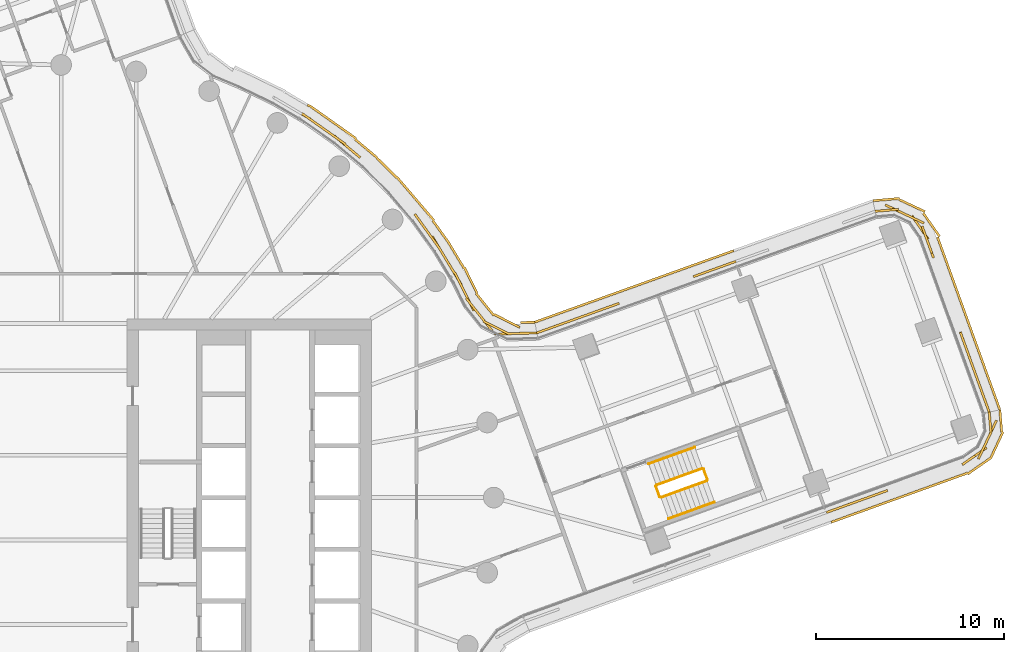
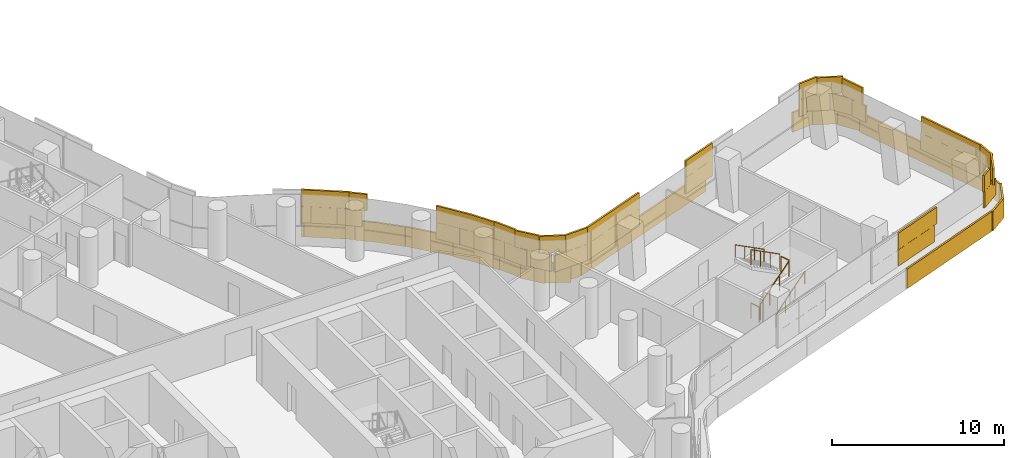
# One storey, part 28 of 30: 6 railings, 4 coverings.
"""IFC4 building model written with IfcOpenShell, lengths in metres."""

from ifc_helpers import new_model, si_unit, direction, frame, origin, origin_2d, place, context, subcontext, project, spatial, rectangle, circle, extrude, material, layer, layer_set, type_object, element, save


model = new_model("IFC4")

# Units and contexts
model_context = context("Model", 3, precision=1e-05, world=origin(), true_north=direction((0.0, 1.0)))
body_context = subcontext(model_context, "Body", "Model", "MODEL_VIEW")
ifc_project = project(units=[si_unit("LENGTHUNIT", "METRE"), si_unit("AREAUNIT", "SQUARE_METRE"), si_unit("VOLUMEUNIT", "CUBIC_METRE"), si_unit("PLANEANGLEUNIT", "RADIAN"), si_unit("MASSUNIT", "GRAM", prefix="KILO")], contexts=[model_context])

# Site, building, storey
site_placement = place(None, origin())
site = spatial("IfcSite", under=ifc_project, at=site_placement, CompositionType="ELEMENT")
building_placement = place(site_placement, origin())
building = spatial("IfcBuilding", under=site, at=building_placement, Name="Tamarind Cross Interchange Tower", CompositionType="ELEMENT")
storey_placement = place(building_placement, frame((0.0, 0.0, 106.0)))
storey = spatial("IfcBuildingStorey", under=building, at=storey_placement, Name="L25", CompositionType="ELEMENT", Elevation=106.0)

# Railings
ifc_material_1 = material(Name="Stair guard")
railing_type_1 = type_object("IfcRailingType", Name="Stair guard", PredefinedType="GUARDRAIL", material=ifc_material_1)
railing_1_placement = place(storey_placement, frame((31.885009765625, 0.007080078125, 0.17041015625)))
element("IfcRailing", 1, at=railing_1_placement, inside=storey, type_object=railing_type_1, Name="L25 ST3 stair guard 1", PredefinedType="GUARDRAIL", context=body_context, shape_type="SweptSolid", body=[
    extrude(circle(Radius=0.02392578125, at=origin_2d()), frame((0.0, 0.0, 1.076171875), z_axis=(0.786594077285, 0.284028229763, 0.548267929281), x_axis=(-0.339623697503, 0.940561398365, 0.0)), (0.0, 0.0, 1.0), 3.109130859375),
    extrude(circle(Radius=0.02099609375, at=origin_2d()), origin(), (0.0, 0.0, 1.0), 1.052001953125),
    extrude(circle(Radius=0.02099609375, at=origin_2d()), frame((0.815185546875, 0.29443359375, 0.568115234375)), (0.0, 0.0, 1.0), 1.052001953125),
    extrude(circle(Radius=0.02099609375, at=origin_2d()), frame((1.63037109375, 0.588623046875, 1.136474609375)), (0.0, 0.0, 1.0), 1.052001953125),
    extrude(circle(Radius=0.02099609375, at=origin_2d()), frame((2.445556640625, 0.883056640625, 1.70458984375)), (0.0, 0.0, 1.0), 1.052001953125),
])
railing_2_placement = place(storey_placement, frame((34.360595703125, 0.9541015625, 1.875)))
element("IfcRailing", 2, at=railing_2_placement, inside=storey, type_object=railing_type_1, Name="L25 ST3 stair guard 2", PredefinedType="GUARDRAIL", context=body_context, shape_type="SweptSolid", body=[
    extrude(circle(Radius=0.02392578125, at=origin_2d()), frame((0.0, 0.0, 1.076171875), z_axis=(-0.339814466161, 0.940492492574, 0.0), x_axis=(-0.940492492574, -0.339814466161, 0.0)), (0.0, 0.0, 1.0), 0.599853515625),
    extrude(circle(Radius=0.02099609375, at=origin_2d()), origin(), (0.0, 0.0, 1.0), 1.052001953125),
    extrude(circle(Radius=0.02099609375, at=origin_2d()), frame((-0.203857421875, 0.564208984375, 0.0)), (0.0, 0.0, 1.0), 1.052001953125),
])
railing_3_placement = place(storey_placement, frame((34.0927734375, 1.54833984375, 2.04541015625)))
element("IfcRailing", 3, at=railing_3_placement, inside=storey, type_object=railing_type_1, Name="L25 ST3 stair guard 3", PredefinedType="GUARDRAIL", context=body_context, shape_type="SweptSolid", body=[
    extrude(circle(Radius=0.02392578125, at=origin_2d()), frame((0.0, 0.0, 1.076171875), z_axis=(-0.786611619308, -0.28395603628, 0.548280156335), x_axis=(0.339540627438, -0.940591389669, 0.0)), (0.0, 0.0, 1.0), 3.10888671875),
    extrude(circle(Radius=0.02099609375, at=origin_2d()), origin(), (0.0, 0.0, 1.0), 1.052001953125),
    extrude(circle(Radius=0.02099609375, at=origin_2d()), frame((-0.815185546875, -0.294189453125, 0.568115234375)), (0.0, 0.0, 1.0), 1.052001953125),
    extrude(circle(Radius=0.02099609375, at=origin_2d()), frame((-1.63037109375, -0.588623046875, 1.136474609375)), (0.0, 0.0, 1.0), 1.052001953125),
    extrude(circle(Radius=0.02099609375, at=origin_2d()), frame((-2.445556640625, -0.8828125, 1.70458984375)), (0.0, 0.0, 1.0), 1.052001953125),
])
railing_4_placement = place(storey_placement, frame((31.821044921875, 0.037109375, 0.0)))
element("IfcRailing", 4, at=railing_4_placement, inside=storey, type_object=railing_type_1, Name="L25 ST3 stair guard 4", PredefinedType="GUARDRAIL", context=body_context, shape_type="SweptSolid", body=[
    extrude(circle(Radius=0.02392578125, at=origin_2d()), frame((0.0, 0.0, 1.076171875), z_axis=(-0.339684450032, 0.94053945925, 0.0), x_axis=(-0.94053945925, -0.339684450032, 0.0)), (0.0, 0.0, 1.0), 0.60009765625),
    extrude(circle(Radius=0.02099609375, at=origin_2d()), origin(), (0.0, 0.0, 1.0), 1.052001953125),
    extrude(circle(Radius=0.02099609375, at=origin_2d()), frame((-0.203857421875, 0.564453125, 0.0)), (0.0, 0.0, 1.0), 1.052001953125),
])
ifc_material_2 = material(Name="Stair handrail")
railing_type_2 = type_object("IfcRailingType", Name="Stair handrail", PredefinedType="HANDRAIL", material=ifc_material_2)
railing_5_placement = place(storey_placement, frame((32.29248046875, -1.12158203125, 0.17041015625)))
element("IfcRailing", 5, at=railing_5_placement, inside=storey, type_object=railing_type_2, Name="L25 ST3 stair handrail 1", PredefinedType="HANDRAIL", context=body_context, shape_type="SweptSolid", body=[
    extrude(circle(Radius=0.02392578125, at=origin_2d()), frame((0.0, 0.0, 0.8759765625), z_axis=(0.786594077285, 0.284028229763, 0.548267929281), x_axis=(-0.339623697503, 0.940561398365, 0.0)), (0.0, 0.0, 1.0), 3.109130859375),
    extrude(circle(Radius=0.02099609375, at=origin_2d()), origin(), (0.0, 0.0, 1.0), 0.851806640625),
    extrude(circle(Radius=0.02099609375, at=origin_2d()), frame((0.815185546875, 0.29443359375, 0.568115234375)), (0.0, 0.0, 1.0), 0.851806640625),
    extrude(circle(Radius=0.02099609375, at=origin_2d()), frame((1.63037109375, 0.588623046875, 1.136474609375)), (0.0, 0.0, 1.0), 0.851806640625),
    extrude(circle(Radius=0.02099609375, at=origin_2d()), frame((2.445556640625, 0.883056640625, 1.70458984375)), (0.0, 0.0, 1.0), 0.851806640625),
])
railing_6_placement = place(storey_placement, frame((33.685302734375, 2.67724609375, 2.04541015625)))
element("IfcRailing", 6, at=railing_6_placement, inside=storey, type_object=railing_type_2, Name="L25 ST3 stair handrail 2", PredefinedType="HANDRAIL", context=body_context, shape_type="SweptSolid", body=[
    extrude(circle(Radius=0.02392578125, at=origin_2d()), frame((0.0, 0.0, 0.8759765625), z_axis=(-0.786594077285, -0.284028229763, 0.548267929281), x_axis=(0.339623697503, -0.940561398365, 0.0)), (0.0, 0.0, 1.0), 3.109130859375),
    extrude(circle(Radius=0.02099609375, at=origin_2d()), origin(), (0.0, 0.0, 1.0), 0.851806640625),
    extrude(circle(Radius=0.02099609375, at=origin_2d()), frame((-0.815185546875, -0.29443359375, 0.568115234375)), (0.0, 0.0, 1.0), 0.851806640625),
    extrude(circle(Radius=0.02099609375, at=origin_2d()), frame((-1.63037109375, -0.588623046875, 1.136474609375)), (0.0, 0.0, 1.0), 0.851806640625),
    extrude(circle(Radius=0.02099609375, at=origin_2d()), frame((-2.445556640625, -0.883056640625, 1.70458984375)), (0.0, 0.0, 1.0), 0.851806640625),
])

# Coverings
ifc_material_3 = material(Name="Terracotta", Category="masonry")
ifc_layer = layer(ifc_material_3, 0.1201171875)
ifc_layer_set = layer_set([ifc_layer], Name="Terracotta")
covering_type = type_object("IfcCoveringType", Name="Terracotta baguette screen unit", PredefinedType="MOLDING", material=ifc_layer_set)
covering_1_placement = place(storey_placement, origin())
element("IfcCovering", 7, at=covering_1_placement, inside=storey, type_object=covering_type, Name="SCR-L25-07-02", PredefinedType="MOLDING", context=body_context, shape_type="SweptSolid", body=[
    extrude(rectangle(XDim=0.219970703125, YDim=0.1201171875, at=origin_2d()), frame((40.7880859375, -0.7548828125, 1.404052734375), z_axis=(0.0, 0.0, 1.0), x_axis=(0.94057769422, 0.339578564011, 0.0)), (0.0, 0.0, 1.0), 1.1669921875),
    extrude(rectangle(XDim=1.52001953125, YDim=0.1201171875, at=origin_2d()), frame((41.59228515625, -0.46435546875, 1.404052734375), z_axis=(0.0, 0.0, 1.0), x_axis=(0.94057769422, 0.339578564011, 0.0)), (0.0, 0.0, 1.0), 1.1669921875),
    extrude(rectangle(XDim=1.52001953125, YDim=0.1201171875, at=origin_2d()), frame((43.003173828125, 0.044921875, 1.404052734375), z_axis=(0.0, 0.0, 1.0), x_axis=(0.94057769422, 0.339578564011, 0.0)), (0.0, 0.0, 1.0), 1.1669921875),
    extrude(rectangle(XDim=1.52001953125, YDim=0.1201171875, at=origin_2d()), frame((48.57568359375, 2.219482421875, 1.404052734375), z_axis=(0.0, 0.0, 1.0), x_axis=(0.820638886804, 0.571447125695, 0.0)), (0.0, 0.0, 1.0), 1.1669921875),
    extrude(rectangle(XDim=1.52001953125, YDim=0.1201171875, at=origin_2d()), frame((49.4033203125, 3.4169921875, 1.404052734375), z_axis=(0.0, 0.0, 1.0), x_axis=(0.424970560458, 0.905207171174, 0.0)), (0.0, 0.0, 1.0), 1.1669921875),
    extrude(rectangle(XDim=0.39501953125, YDim=0.1201171875, at=origin_2d()), frame((49.35595703125, 4.350341796875, 1.404052734375), z_axis=(0.0, 0.0, 1.0), x_axis=(-0.08456828437, 0.996417686153, 0.0)), (0.0, 0.0, 1.0), 1.1669921875),
    extrude(rectangle(XDim=0.969970703125, YDim=0.1201171875, at=origin_2d()), frame((41.140869140625, -0.62744140625, 2.5791015625), z_axis=(0.0, 0.0, 1.0), x_axis=(0.94057769422, 0.339578564011, 0.0)), (0.0, 0.0, 1.0), 1.1669921875),
    extrude(rectangle(XDim=1.52001953125, YDim=0.1201171875, at=origin_2d()), frame((42.2978515625, -0.209716796875, 2.5791015625), z_axis=(0.0, 0.0, 1.0), x_axis=(0.94057769422, 0.339578564011, 0.0)), (0.0, 0.0, 1.0), 1.1669921875),
    extrude(rectangle(XDim=0.997314453125, YDim=0.1201171875, at=origin_2d()), frame((43.467529296875, 0.212646484375, 2.5791015625), z_axis=(0.0, 0.0, 1.0), x_axis=(0.94057769422, 0.339578564011, 0.0)), (0.0, 0.0, 1.0), 1.1669921875),
    extrude(rectangle(XDim=0.822509765625, YDim=0.1201171875, at=origin_2d()), frame((48.242431640625, 1.9873046875, 2.5791015625), z_axis=(0.0, 0.0, 1.0), x_axis=(0.820638886804, 0.571447125695, 0.0)), (0.0, 0.0, 1.0), 1.1669921875),
    extrude(rectangle(XDim=1.52001953125, YDim=0.1201171875, at=origin_2d()), frame((49.08447265625, 2.738037109375, 2.5791015625), z_axis=(0.0, 0.0, 1.0), x_axis=(0.424970560458, 0.905207171174, 0.0)), (0.0, 0.0, 1.0), 1.1669921875),
    extrude(rectangle(XDim=1.14501953125, YDim=0.1201171875, at=origin_2d()), frame((49.3876953125, 3.9765625, 2.5791015625), z_axis=(0.0, 0.0, 1.0), x_axis=(-0.08456828437, 0.996417686153, 0.0)), (0.0, 0.0, 1.0), 1.1669921875),
    extrude(rectangle(XDim=0.199462890625, YDim=0.1201171875, at=origin_2d()), frame((41.0400390625, -1.274169921875, 0.00390625), z_axis=(0.0, 0.0, 1.0), x_axis=(0.94057769422, 0.339578564011, 0.0)), (0.0, 0.0, 1.0), 1.39208984375),
    extrude(rectangle(XDim=1.52001953125, YDim=0.1201171875, at=origin_2d()), frame((41.829833984375, -0.989013671875, 0.00390625), z_axis=(0.0, 0.0, 1.0), x_axis=(0.94057769422, 0.339578564011, 0.0)), (0.0, 0.0, 1.0), 1.39208984375),
    extrude(rectangle(XDim=1.52001953125, YDim=0.1201171875, at=origin_2d()), frame((43.24072265625, -0.4794921875, 0.00390625), z_axis=(0.0, 0.0, 1.0), x_axis=(0.94057769422, 0.339578564011, 0.0)), (0.0, 0.0, 1.0), 1.39208984375),
    extrude(rectangle(XDim=1.52001953125, YDim=0.1201171875, at=origin_2d()), frame((44.651611328125, 0.02978515625, 0.00390625), z_axis=(0.0, 0.0, 1.0), x_axis=(0.94057769422, 0.339578564011, 0.0)), (0.0, 0.0, 1.0), 1.39208984375),
    extrude(rectangle(XDim=1.52001953125, YDim=0.1201171875, at=origin_2d()), frame((46.0625, 0.5390625, 0.00390625), z_axis=(0.0, 0.0, 1.0), x_axis=(0.94057769422, 0.339578564011, 0.0)), (0.0, 0.0, 1.0), 1.39208984375),
    extrude(rectangle(XDim=1.52001953125, YDim=0.1201171875, at=origin_2d()), frame((47.473388671875, 1.048583984375, 0.00390625), z_axis=(0.0, 0.0, 1.0), x_axis=(0.94057769422, 0.339578564011, 0.0)), (0.0, 0.0, 1.0), 1.39208984375),
    extrude(rectangle(XDim=1.52001953125, YDim=0.1201171875, at=origin_2d()), frame((48.81689453125, 1.68798828125, 0.00390625), z_axis=(0.0, 0.0, 1.0), x_axis=(0.820638886804, 0.571447125695, 0.0)), (0.0, 0.0, 1.0), 1.39208984375),
    extrude(rectangle(XDim=1.52001953125, YDim=0.1201171875, at=origin_2d()), frame((49.7470703125, 2.798828125, 0.00390625), z_axis=(0.0, 0.0, 1.0), x_axis=(0.424970560458, 0.905207171174, 0.0)), (0.0, 0.0, 1.0), 1.39208984375),
    extrude(rectangle(XDim=1.19140625, YDim=0.1201171875, at=origin_2d()), frame((49.95556640625, 4.072265625, 0.00390625), z_axis=(0.0, 0.0, 1.0), x_axis=(-0.08456828437, 0.996417686153, 0.0)), (0.0, 0.0, 1.0), 1.39208984375),
])
covering_2_placement = place(storey_placement, origin())
element("IfcCovering", 8, at=covering_2_placement, inside=storey, type_object=covering_type, Name="SCR-L25-08-00", PredefinedType="MOLDING", context=body_context, shape_type="SweptSolid", body=[
    extrude(rectangle(XDim=0.760009765625, YDim=0.1201171875, at=origin_2d()), frame((49.21240234375, 4.894775390625, 1.404052734375), z_axis=(0.0, 0.0, 1.0), x_axis=(-0.339578564011, 0.94057769422, 0.0)), (0.0, 0.0, 1.0), 1.1669921875),
    extrude(rectangle(XDim=1.52001953125, YDim=0.1201171875, at=origin_2d()), frame((48.830322265625, 5.952880859375, 1.404052734375), z_axis=(0.0, 0.0, 1.0), x_axis=(-0.339578564011, 0.94057769422, 0.0)), (0.0, 0.0, 1.0), 1.1669921875),
    extrude(rectangle(XDim=1.52001953125, YDim=0.1201171875, at=origin_2d()), frame((48.321044921875, 7.36376953125, 1.404052734375), z_axis=(0.0, 0.0, 1.0), x_axis=(-0.339578564011, 0.94057769422, 0.0)), (0.0, 0.0, 1.0), 1.1669921875),
    extrude(rectangle(XDim=0.784912109375, YDim=0.1201171875, at=origin_2d()), frame((47.934814453125, 8.43359375, 1.404052734375), z_axis=(0.0, 0.0, 1.0), x_axis=(-0.339578564011, 0.94057769422, 0.0)), (0.0, 0.0, 1.0), 1.1669921875),
    extrude(rectangle(XDim=1.03515625, YDim=0.1201171875, at=origin_2d()), frame((46.202880859375, 13.23046875, 1.404052734375), z_axis=(0.0, 0.0, 1.0), x_axis=(-0.339578564011, 0.94057769422, 0.0)), (0.0, 0.0, 1.0), 1.1669921875),
    extrude(rectangle(XDim=1.52001953125, YDim=0.1201171875, at=origin_2d()), frame((45.66357421875, 14.361083984375, 1.404052734375), z_axis=(0.0, 0.0, 1.0), x_axis=(-0.571447125695, 0.820638886804, 0.0)), (0.0, 0.0, 1.0), 1.1669921875),
    extrude(rectangle(XDim=1.52001953125, YDim=0.1201171875, at=origin_2d()), frame((44.50439453125, 15.23388671875, 1.404052734375), z_axis=(0.0, 0.0, 1.0), x_axis=(-0.905207171174, 0.424970560458, 0.0)), (0.0, 0.0, 1.0), 1.1669921875),
    extrude(rectangle(XDim=0.509521484375, YDim=0.1201171875, at=origin_2d()), frame((43.5244140625, 15.240234375, 1.404052734375), z_axis=(0.0, 0.0, 1.0), x_axis=(-0.996417686153, -0.08456828437, 0.0)), (0.0, 0.0, 1.0), 1.1669921875),
    extrude(rectangle(XDim=1.510009765625, YDim=0.1201171875, at=origin_2d()), frame((49.0849609375, 5.24755859375, 2.5791015625), z_axis=(0.0, 0.0, 1.0), x_axis=(-0.339578564011, 0.94057769422, 0.0)), (0.0, 0.0, 1.0), 1.1669921875),
    extrude(rectangle(XDim=1.52001953125, YDim=0.1201171875, at=origin_2d()), frame((48.57568359375, 6.658203125, 2.5791015625), z_axis=(0.0, 0.0, 1.0), x_axis=(-0.339578564011, 0.94057769422, 0.0)), (0.0, 0.0, 1.0), 1.1669921875),
    extrude(rectangle(XDim=1.52001953125, YDim=0.1201171875, at=origin_2d()), frame((48.066162109375, 8.069091796875, 2.5791015625), z_axis=(0.0, 0.0, 1.0), x_axis=(-0.339578564011, 0.94057769422, 0.0)), (0.0, 0.0, 1.0), 1.1669921875),
    extrude(rectangle(XDim=1.52001953125, YDim=0.1201171875, at=origin_2d()), frame((46.02880859375, 13.712646484375, 2.5791015625), z_axis=(0.0, 0.0, 1.0), x_axis=(-0.339578564011, 0.94057769422, 0.0)), (0.0, 0.0, 1.0), 1.1669921875),
    extrude(rectangle(XDim=1.52001953125, YDim=0.1201171875, at=origin_2d()), frame((45.183349609375, 14.9150390625, 2.5791015625), z_axis=(0.0, 0.0, 1.0), x_axis=(-0.905207171174, 0.424970560458, 0.0)), (0.0, 0.0, 1.0), 1.1669921875),
    extrude(rectangle(XDim=1.259521484375, YDim=0.1201171875, at=origin_2d()), frame((43.898193359375, 15.27197265625, 2.5791015625), z_axis=(0.0, 0.0, 1.0), x_axis=(-0.996417686153, -0.08456828437, 0.0)), (0.0, 0.0, 1.0), 1.1669921875),
    extrude(rectangle(XDim=0.760009765625, YDim=0.1201171875, at=origin_2d()), frame((49.776123046875, 5.023193359375, 0.00390625), z_axis=(0.0, 0.0, 1.0), x_axis=(-0.339578564011, 0.94057769422, 0.0)), (0.0, 0.0, 1.0), 1.39208984375),
    extrude(rectangle(XDim=1.52001953125, YDim=0.1201171875, at=origin_2d()), frame((49.39599609375, 6.07666015625, 0.00390625), z_axis=(0.0, 0.0, 1.0), x_axis=(-0.339578564011, 0.94057769422, 0.0)), (0.0, 0.0, 1.0), 1.39208984375),
    extrude(rectangle(XDim=1.52001953125, YDim=0.1201171875, at=origin_2d()), frame((48.886474609375, 7.487548828125, 0.00390625), z_axis=(0.0, 0.0, 1.0), x_axis=(-0.339578564011, 0.94057769422, 0.0)), (0.0, 0.0, 1.0), 1.39208984375),
    extrude(rectangle(XDim=1.52001953125, YDim=0.1201171875, at=origin_2d()), frame((48.377197265625, 8.8984375, 0.00390625), z_axis=(0.0, 0.0, 1.0), x_axis=(-0.339578564011, 0.94057769422, 0.0)), (0.0, 0.0, 1.0), 1.39208984375),
    extrude(rectangle(XDim=1.52001953125, YDim=0.1201171875, at=origin_2d()), frame((47.86767578125, 10.309326171875, 0.00390625), z_axis=(0.0, 0.0, 1.0), x_axis=(-0.339578564011, 0.94057769422, 0.0)), (0.0, 0.0, 1.0), 1.39208984375),
    extrude(rectangle(XDim=1.52001953125, YDim=0.1201171875, at=origin_2d()), frame((47.3583984375, 11.72021484375, 0.00390625), z_axis=(0.0, 0.0, 1.0), x_axis=(-0.339578564011, 0.94057769422, 0.0)), (0.0, 0.0, 1.0), 1.39208984375),
    extrude(rectangle(XDim=1.52001953125, YDim=0.1201171875, at=origin_2d()), frame((46.84912109375, 13.131103515625, 0.00390625), z_axis=(0.0, 0.0, 1.0), x_axis=(-0.339578564011, 0.94057769422, 0.0)), (0.0, 0.0, 1.0), 1.39208984375),
    extrude(rectangle(XDim=1.52001953125, YDim=0.1201171875, at=origin_2d()), frame((46.26416015625, 14.5029296875, 0.00390625), z_axis=(0.0, 0.0, 1.0), x_axis=(-0.571447125695, 0.820638886804, 0.0)), (0.0, 0.0, 1.0), 1.39208984375),
    extrude(rectangle(XDim=1.52001953125, YDim=0.1201171875, at=origin_2d()), frame((45.23193359375, 15.5263671875, 0.00390625), z_axis=(0.0, 0.0, 1.0), x_axis=(-0.905207171174, 0.424970560458, 0.0)), (0.0, 0.0, 1.0), 1.39208984375),
    extrude(rectangle(XDim=1.4267578125, YDim=0.1201171875, at=origin_2d()), frame((43.863037109375, 15.844970703125, 0.00390625), z_axis=(0.0, 0.0, 1.0), x_axis=(-0.996417686153, -0.08456828437, 0.0)), (0.0, 0.0, 1.0), 1.39208984375),
])
covering_3_placement = place(storey_placement, origin())
element("IfcCovering", 9, at=covering_3_placement, inside=storey, type_object=covering_type, Name="SCR-L25-09-01", PredefinedType="MOLDING", context=body_context, shape_type="SweptSolid", body=[
    extrude(rectangle(XDim=0.3935546875, YDim=0.1201171875, at=origin_2d()), frame((35.69189453125, 12.494384765625, 1.404052734375), z_axis=(0.0, 0.0, 1.0), x_axis=(-0.941099800074, -0.338128919647, 0.0)), (0.0, 0.0, 1.0), 1.1669921875),
    extrude(rectangle(XDim=1.52001953125, YDim=0.1201171875, at=origin_2d()), frame((34.8056640625, 12.17578125, 1.404052734375), z_axis=(0.0, 0.0, 1.0), x_axis=(-0.941099800074, -0.338128919647, 0.0)), (0.0, 0.0, 1.0), 1.1669921875),
    extrude(rectangle(XDim=0.52587890625, YDim=0.1201171875, at=origin_2d()), frame((33.857177734375, 11.835205078125, 1.404052734375), z_axis=(0.0, 0.0, 1.0), x_axis=(-0.941099800074, -0.338128919647, 0.0)), (0.0, 0.0, 1.0), 1.1669921875),
    extrude(rectangle(XDim=1.294189453125, YDim=0.1201171875, at=origin_2d()), frame((29.0576171875, 10.110595703125, 1.404052734375), z_axis=(0.0, 0.0, 1.0), x_axis=(-0.941099800074, -0.338128919647, 0.0)), (0.0, 0.0, 1.0), 1.1669921875),
    extrude(rectangle(XDim=1.52001953125, YDim=0.1201171875, at=origin_2d()), frame((27.747314453125, 9.639892578125, 1.404052734375), z_axis=(0.0, 0.0, 1.0), x_axis=(-0.941099800074, -0.338128919647, 0.0)), (0.0, 0.0, 1.0), 1.1669921875),
    extrude(rectangle(XDim=1.52001953125, YDim=0.1201171875, at=origin_2d()), frame((26.335693359375, 9.1328125, 1.404052734375), z_axis=(0.0, 0.0, 1.0), x_axis=(-0.941099800074, -0.338128919647, 0.0)), (0.0, 0.0, 1.0), 1.1669921875),
    extrude(rectangle(XDim=0.37255859375, YDim=0.1201171875, at=origin_2d()), frame((25.459228515625, 8.81787109375, 1.404052734375), z_axis=(0.0, 0.0, 1.0), x_axis=(-0.941099800074, -0.338128919647, 0.0)), (0.0, 0.0, 1.0), 1.1669921875),
    extrude(rectangle(XDim=1.1435546875, YDim=0.1201171875, at=origin_2d()), frame((35.339111328125, 12.367431640625, 2.5791015625), z_axis=(0.0, 0.0, 1.0), x_axis=(-0.941099800074, -0.338128919647, 0.0)), (0.0, 0.0, 1.0), 1.1669921875),
    extrude(rectangle(XDim=1.27587890625, YDim=0.1201171875, at=origin_2d()), frame((34.2099609375, 11.9619140625, 2.5791015625), z_axis=(0.0, 0.0, 1.0), x_axis=(-0.941099800074, -0.338128919647, 0.0)), (0.0, 0.0, 1.0), 1.1669921875),
    extrude(rectangle(XDim=0.544189453125, YDim=0.1201171875, at=origin_2d()), frame((29.410400390625, 10.237548828125, 2.5791015625), z_axis=(0.0, 0.0, 1.0), x_axis=(-0.941099800074, -0.338128919647, 0.0)), (0.0, 0.0, 1.0), 1.1669921875),
    extrude(rectangle(XDim=1.52001953125, YDim=0.1201171875, at=origin_2d()), frame((28.453369140625, 9.8935546875, 2.5791015625), z_axis=(0.0, 0.0, 1.0), x_axis=(-0.941099800074, -0.338128919647, 0.0)), (0.0, 0.0, 1.0), 1.1669921875),
    extrude(rectangle(XDim=1.52001953125, YDim=0.1201171875, at=origin_2d()), frame((27.04150390625, 9.38623046875, 2.5791015625), z_axis=(0.0, 0.0, 1.0), x_axis=(-0.941099800074, -0.338128919647, 0.0)), (0.0, 0.0, 1.0), 1.1669921875),
    extrude(rectangle(XDim=1.12255859375, YDim=0.1201171875, at=origin_2d()), frame((25.812255859375, 8.944580078125, 2.5791015625), z_axis=(0.0, 0.0, 1.0), x_axis=(-0.941099800074, -0.338128919647, 0.0)), (0.0, 0.0, 1.0), 1.1669921875),
    extrude(rectangle(XDim=0.400390625, YDim=0.1201171875, at=origin_2d()), frame((35.567138671875, 13.059326171875, 0.00390625), z_axis=(0.0, 0.0, 1.0), x_axis=(-0.941099800074, -0.338128919647, 0.0)), (0.0, 0.0, 1.0), 1.39208984375),
    extrude(rectangle(XDim=1.52001953125, YDim=0.1201171875, at=origin_2d()), frame((34.682373046875, 12.741455078125, 0.00390625), z_axis=(0.0, 0.0, 1.0), x_axis=(-0.941099800074, -0.338128919647, 0.0)), (0.0, 0.0, 1.0), 1.39208984375),
    extrude(rectangle(XDim=1.52001953125, YDim=0.1201171875, at=origin_2d()), frame((33.270751953125, 12.234375, 0.00390625), z_axis=(0.0, 0.0, 1.0), x_axis=(-0.941099800074, -0.338128919647, 0.0)), (0.0, 0.0, 1.0), 1.39208984375),
    extrude(rectangle(XDim=1.52001953125, YDim=0.1201171875, at=origin_2d()), frame((31.85888671875, 11.72705078125, 0.00390625), z_axis=(0.0, 0.0, 1.0), x_axis=(-0.941099800074, -0.338128919647, 0.0)), (0.0, 0.0, 1.0), 1.39208984375),
    extrude(rectangle(XDim=1.52001953125, YDim=0.1201171875, at=origin_2d()), frame((30.447265625, 11.219970703125, 0.00390625), z_axis=(0.0, 0.0, 1.0), x_axis=(-0.941099800074, -0.338128919647, 0.0)), (0.0, 0.0, 1.0), 1.39208984375),
    extrude(rectangle(XDim=1.52001953125, YDim=0.1201171875, at=origin_2d()), frame((29.03564453125, 10.712646484375, 0.00390625), z_axis=(0.0, 0.0, 1.0), x_axis=(-0.941099800074, -0.338128919647, 0.0)), (0.0, 0.0, 1.0), 1.39208984375),
    extrude(rectangle(XDim=1.52001953125, YDim=0.1201171875, at=origin_2d()), frame((27.6240234375, 10.20556640625, 0.00390625), z_axis=(0.0, 0.0, 1.0), x_axis=(-0.941099800074, -0.338128919647, 0.0)), (0.0, 0.0, 1.0), 1.39208984375),
    extrude(rectangle(XDim=1.52001953125, YDim=0.1201171875, at=origin_2d()), frame((26.21240234375, 9.6982421875, 0.00390625), z_axis=(0.0, 0.0, 1.0), x_axis=(-0.941099800074, -0.338128919647, 0.0)), (0.0, 0.0, 1.0), 1.39208984375),
    extrude(rectangle(XDim=0.356201171875, YDim=0.1201171875, at=origin_2d()), frame((25.348388671875, 9.387939453125, 0.00390625), z_axis=(0.0, 0.0, 1.0), x_axis=(-0.941099800074, -0.338128919647, 0.0)), (0.0, 0.0, 1.0), 1.39208984375),
])
covering_4_placement = place(storey_placement, origin())
element("IfcCovering", 10, at=covering_4_placement, inside=storey, type_object=covering_type, Name="SCR-L25-10-00", PredefinedType="MOLDING", context=body_context, shape_type="SweptSolid", body=[
    extrude(rectangle(XDim=0.760009765625, YDim=0.1201171875, at=origin_2d()), frame((24.913818359375, 8.745849609375, 1.404052734375), z_axis=(0.0, 0.0, 1.0), x_axis=(-0.999595294295, -0.028447277975, 0.0)), (0.0, 0.0, 1.0), 1.1669921875),
    extrude(rectangle(XDim=1.52001953125, YDim=0.1201171875, at=origin_2d()), frame((23.789306640625, 8.7138671875, 1.404052734375), z_axis=(0.0, 0.0, 1.0), x_axis=(-0.999595294295, -0.028447277975, 0.0)), (0.0, 0.0, 1.0), 1.1669921875),
    extrude(rectangle(XDim=1.52001953125, YDim=0.1201171875, at=origin_2d()), frame((22.476806640625, 9.41845703125, 1.404052734375), z_axis=(0.0, 0.0, 1.0), x_axis=(-0.625819626842, 0.779967816426, 0.0)), (0.0, 0.0, 1.0), 1.1669921875),
    extrude(rectangle(XDim=1.52001953125, YDim=0.1201171875, at=origin_2d()), frame((21.59521484375, 10.624755859375, 1.404052734375), z_axis=(0.0, 0.0, 1.0), x_axis=(-0.444825120575, 0.89561744741, 0.0)), (0.0, 0.0, 1.0), 1.1669921875),
    extrude(rectangle(XDim=1.52001953125, YDim=0.1201171875, at=origin_2d()), frame((20.8955078125, 11.950439453125, 1.404052734375), z_axis=(0.0, 0.0, 1.0), x_axis=(-0.515577308909, 0.856843065292, 0.0)), (0.0, 0.0, 1.0), 1.1669921875),
    extrude(rectangle(XDim=1.52001953125, YDim=0.1201171875, at=origin_2d()), frame((20.1220703125, 13.235595703125, 1.404052734375), z_axis=(0.0, 0.0, 1.0), x_axis=(-0.515577308909, 0.856843065292, 0.0)), (0.0, 0.0, 1.0), 1.1669921875),
    extrude(rectangle(XDim=1.52001953125, YDim=0.1201171875, at=origin_2d()), frame((19.247314453125, 14.453857421875, 1.404052734375), z_axis=(0.0, 0.0, 1.0), x_axis=(-0.584573890505, 0.811340475102, 0.0)), (0.0, 0.0, 1.0), 1.1669921875),
    extrude(rectangle(XDim=1.52001953125, YDim=0.1201171875, at=origin_2d()), frame((15.088623046875, 18.75439453125, 1.404052734375), z_axis=(0.0, 0.0, 1.0), x_axis=(-0.765858396687, 0.643009266048, 0.0)), (0.0, 0.0, 1.0), 1.1669921875),
    extrude(rectangle(XDim=1.52001953125, YDim=0.1201171875, at=origin_2d()), frame((13.888916015625, 19.653076171875, 1.404052734375), z_axis=(0.0, 0.0, 1.0), x_axis=(-0.816341886298, 0.577568978284, 0.0)), (0.0, 0.0, 1.0), 1.1669921875),
    extrude(rectangle(XDim=0.582275390625, YDim=0.1201171875, at=origin_2d()), frame((13.040771484375, 20.247802734375, 1.404052734375), z_axis=(0.0, 0.0, 1.0), x_axis=(-0.861248933065, 0.508183308752, 0.0)), (0.0, 0.0, 1.0), 1.1669921875),
    extrude(rectangle(XDim=1.510009765625, YDim=0.1201171875, at=origin_2d()), frame((24.5390625, 8.735107421875, 2.5791015625), z_axis=(0.0, 0.0, 1.0), x_axis=(-0.999595294295, -0.028447277975, 0.0)), (0.0, 0.0, 1.0), 1.1669921875),
    extrude(rectangle(XDim=1.52001953125, YDim=0.1201171875, at=origin_2d()), frame((23.1181640625, 9.0458984375, 2.5791015625), z_axis=(0.0, 0.0, 1.0), x_axis=(-0.893609120974, 0.448846008017, 0.0)), (0.0, 0.0, 1.0), 1.1669921875),
    extrude(rectangle(XDim=1.52001953125, YDim=0.1201171875, at=origin_2d()), frame((22.007568359375, 10.00341796875, 2.5791015625), z_axis=(0.0, 0.0, 1.0), x_axis=(-0.625819626842, 0.779967816426, 0.0)), (0.0, 0.0, 1.0), 1.1669921875),
    extrude(rectangle(XDim=1.52001953125, YDim=0.1201171875, at=origin_2d()), frame((21.26171875, 11.296630859375, 2.5791015625), z_axis=(0.0, 0.0, 1.0), x_axis=(-0.444825120575, 0.89561744741, 0.0)), (0.0, 0.0, 1.0), 1.1669921875),
    extrude(rectangle(XDim=1.52001953125, YDim=0.1201171875, at=origin_2d()), frame((20.5087890625, 12.593017578125, 2.5791015625), z_axis=(0.0, 0.0, 1.0), x_axis=(-0.515577308909, 0.856843065292, 0.0)), (0.0, 0.0, 1.0), 1.1669921875),
    extrude(rectangle(XDim=1.52001953125, YDim=0.1201171875, at=origin_2d()), frame((19.685546875, 13.845458984375, 2.5791015625), z_axis=(0.0, 0.0, 1.0), x_axis=(-0.584573890505, 0.811340475102, 0.0)), (0.0, 0.0, 1.0), 1.1669921875),
    extrude(rectangle(XDim=0.76220703125, YDim=0.1201171875, at=origin_2d()), frame((19.02734375, 14.759033203125, 2.5791015625), z_axis=(0.0, 0.0, 1.0), x_axis=(-0.584573890505, 0.811340475102, 0.0)), (0.0, 0.0, 1.0), 1.1669921875),
    extrude(rectangle(XDim=1.057861328125, YDim=0.1201171875, at=origin_2d()), frame((15.489990234375, 18.417724609375, 2.5791015625), z_axis=(0.0, 0.0, 1.0), x_axis=(-0.765858396687, 0.643009266048, 0.0)), (0.0, 0.0, 1.0), 1.1669921875),
    extrude(rectangle(XDim=1.52001953125, YDim=0.1201171875, at=origin_2d()), frame((14.501220703125, 19.219970703125, 2.5791015625), z_axis=(0.0, 0.0, 1.0), x_axis=(-0.816341886298, 0.577568978284, 0.0)), (0.0, 0.0, 1.0), 1.1669921875),
    extrude(rectangle(XDim=1.332275390625, YDim=0.1201171875, at=origin_2d()), frame((13.349365234375, 20.034912109375, 2.5791015625), z_axis=(0.0, 0.0, 1.0), x_axis=(-0.816341886298, 0.577568978284, 0.0)), (0.0, 0.0, 1.0), 1.1669921875),
    extrude(rectangle(XDim=0.760009765625, YDim=0.1201171875, at=origin_2d()), frame((24.801025390625, 9.31689453125, 0.00390625), z_axis=(0.0, 0.0, 1.0), x_axis=(-0.999595294295, -0.028447277975, 0.0)), (0.0, 0.0, 1.0), 1.39208984375),
    extrude(rectangle(XDim=1.52001953125, YDim=0.1201171875, at=origin_2d()), frame((23.70556640625, 9.39306640625, 0.00390625), z_axis=(0.0, 0.0, 1.0), x_axis=(-0.893609120974, 0.448846008017, 0.0)), (0.0, 0.0, 1.0), 1.39208984375),
    extrude(rectangle(XDim=1.52001953125, YDim=0.1201171875, at=origin_2d()), frame((22.529541015625, 10.27001953125, 0.00390625), z_axis=(0.0, 0.0, 1.0), x_axis=(-0.625819626842, 0.779967816426, 0.0)), (0.0, 0.0, 1.0), 1.39208984375),
    extrude(rectangle(XDim=1.52001953125, YDim=0.1201171875, at=origin_2d()), frame((21.7734375, 11.556640625, 0.00390625), z_axis=(0.0, 0.0, 1.0), x_axis=(-0.444825120575, 0.89561744741, 0.0)), (0.0, 0.0, 1.0), 1.39208984375),
    extrude(rectangle(XDim=1.52001953125, YDim=0.1201171875, at=origin_2d()), frame((21.021728515625, 12.853759765625, 0.00390625), z_axis=(0.0, 0.0, 1.0), x_axis=(-0.515577308909, 0.856843065292, 0.0)), (0.0, 0.0, 1.0), 1.39208984375),
    extrude(rectangle(XDim=1.52001953125, YDim=0.1201171875, at=origin_2d()), frame((20.203125, 14.109130859375, 0.00390625), z_axis=(0.0, 0.0, 1.0), x_axis=(-0.584573890505, 0.811340475102, 0.0)), (0.0, 0.0, 1.0), 1.39208984375),
    extrude(rectangle(XDim=1.52001953125, YDim=0.1201171875, at=origin_2d()), frame((19.318603515625, 15.320068359375, 0.00390625), z_axis=(0.0, 0.0, 1.0), x_axis=(-0.64957723968, 0.760295606781, 0.0)), (0.0, 0.0, 1.0), 1.39208984375),
    extrude(rectangle(XDim=1.52001953125, YDim=0.1201171875, at=origin_2d()), frame((18.34423828125, 16.46044921875, 0.00390625), z_axis=(0.0, 0.0, 1.0), x_axis=(-0.64957723968, 0.760295606781, 0.0)), (0.0, 0.0, 1.0), 1.39208984375),
    extrude(rectangle(XDim=1.52001953125, YDim=0.1201171875, at=origin_2d()), frame((17.304443359375, 17.540283203125, 0.00390625), z_axis=(0.0, 0.0, 1.0), x_axis=(-0.710143317658, 0.704057148523, 0.0)), (0.0, 0.0, 1.0), 1.39208984375),
    extrude(rectangle(XDim=1.52001953125, YDim=0.1201171875, at=origin_2d()), frame((16.209228515625, 18.563232421875, 0.00390625), z_axis=(0.0, 0.0, 1.0), x_axis=(-0.765858396687, 0.643009266048, 0.0)), (0.0, 0.0, 1.0), 1.39208984375),
    extrude(rectangle(XDim=1.52001953125, YDim=0.1201171875, at=origin_2d()), frame((15.06005859375, 19.527587890625, 0.00390625), z_axis=(0.0, 0.0, 1.0), x_axis=(-0.816341886298, 0.577568978284, 0.0)), (0.0, 0.0, 1.0), 1.39208984375),
    extrude(rectangle(XDim=1.52001953125, YDim=0.1201171875, at=origin_2d()), frame((13.835693359375, 20.39404296875, 0.00390625), z_axis=(0.0, 0.0, 1.0), x_axis=(-0.816341886298, 0.577568978284, 0.0)), (0.0, 0.0, 1.0), 1.39208984375),
    extrude(rectangle(XDim=0.142578125, YDim=0.1201171875, at=origin_2d()), frame((13.160888671875, 20.84326171875, 0.00390625), z_axis=(0.0, 0.0, 1.0), x_axis=(-0.861248933065, 0.508183308752, 0.0)), (0.0, 0.0, 1.0), 1.39208984375),
])

save(model, "model.ifc")
